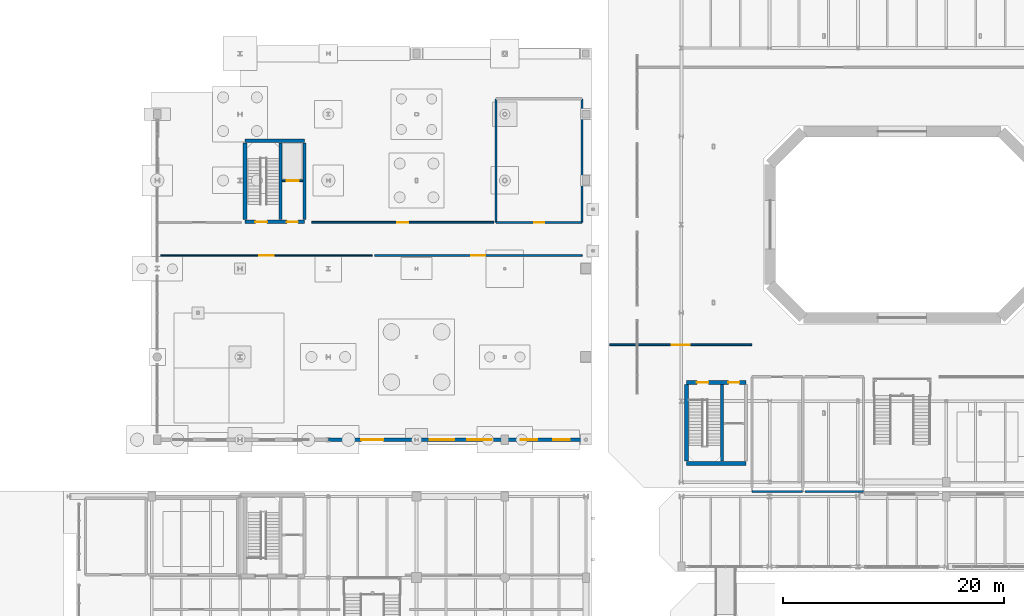
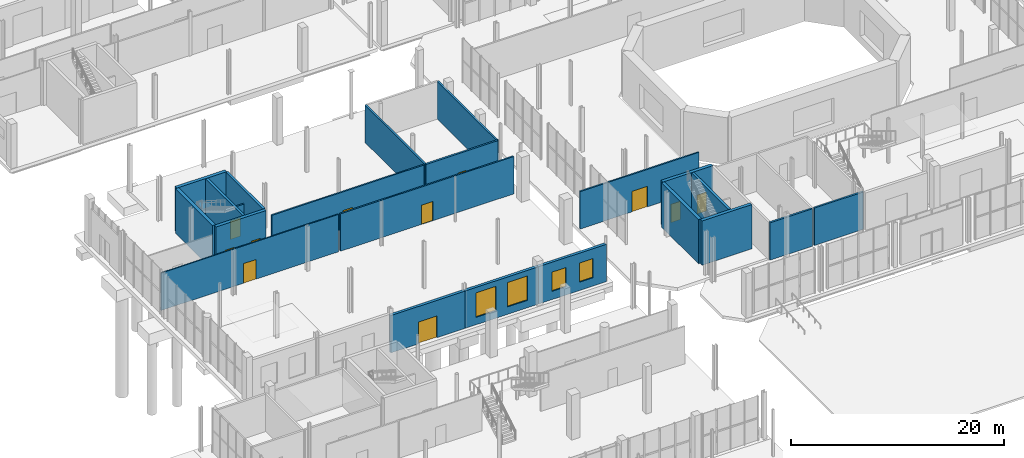
# One storey, part 66 of 87: 22 walls, 11 doors, 4 windows, 15 openings.
"""IFC4 building model written with IfcOpenShell, lengths in metres."""

from ifc_helpers import new_model, si_unit, direction, frame, frame_2d, origin, place, context, subcontext, project, spatial, rectangle, extrude, material, layer, layer_set, type_object, element, fill, save


model = new_model("IFC4")

# Units and contexts
model_context = context("Model", 3, precision=1e-05, world=origin(), true_north=direction((0.0, 1.0)))
body_context = subcontext(model_context, "Body", "Model", "MODEL_VIEW")
ifc_project = project(units=[si_unit("LENGTHUNIT", "METRE"), si_unit("AREAUNIT", "SQUARE_METRE"), si_unit("VOLUMEUNIT", "CUBIC_METRE"), si_unit("PLANEANGLEUNIT", "RADIAN"), si_unit("MASSUNIT", "GRAM", prefix="KILO")], contexts=[model_context])

# Site, building, storey
site_placement = place(None, origin())
site = spatial("IfcSite", under=ifc_project, at=site_placement, CompositionType="ELEMENT")
building_placement = place(site_placement, origin())
building = spatial("IfcBuilding", under=site, at=building_placement, Name="Brisemont Oceanarium", CompositionType="ELEMENT")
storey_placement = place(building_placement, origin())
storey = spatial("IfcBuildingStorey", under=building, at=storey_placement, Name="L00", CompositionType="ELEMENT", Elevation=0.0)

# Wall, opening, door
ifc_material_1 = material(Name="Sierra Granite Ashlar Backup Concrete C35/45", Category="masonry")
ifc_layer_1 = layer(ifc_material_1, 0.300048828125)
ifc_layer_set_1 = layer_set([ifc_layer_1], Name="Sierra Granite Ashlar Backup Concrete C35/45")
wall_type_1 = type_object("IfcWallType", Name="EW-GRANITE-300", PredefinedType="STANDARD", material=ifc_layer_set_1)
wall_1_placement = place(storey_placement, frame((32.0, 36.5, 0.0), z_axis=(0.0, 0.0, 1.0), x_axis=(1.0, 0.0, 0.0)))
wall_1 = element("IfcWall", 1, at=wall_1_placement, inside=storey, type_object=wall_type_1, Name="Beaux-Arts exterior wall EW-V5WS-L00-3", PredefinedType="STANDARD", context=body_context, shape_type="SweptSolid", body=[
    extrude(rectangle(XDim=8.0, YDim=0.300048828125, at=frame_2d((4.0, 0.0))), origin(), (0.0, 0.0, 1.0), 4.280029296875),
])
opening_1_placement = place(wall_1_placement, frame((3.0, 0.0, 0.0)))
opening_1 = element("IfcOpeningElement", 2, at=opening_1_placement, cuts=wall_1, Name="Opening EX-02", PredefinedType="OPENING", context=body_context, shape_type="SweptSolid", body=[
    extrude(rectangle(XDim=2.0, YDim=2.5, at=frame_2d((1.0, 1.25))), frame((0.0, 0.159912109375, 0.0), z_axis=(0.0, -1.0, 0.0), x_axis=(1.0, 0.0, 0.0)), (0.0, 0.0, 1.0), 0.320068359375),
])
ifc_material_2 = material(Name="Patinated Architectural Bronze C38500")
door_type_1 = type_object("IfcDoorType", Name="DR-EXT-2000X2500", OperationType="NOTDEFINED", PredefinedType="DOOR", material=ifc_material_2)
door_1_placement = place(opening_1_placement, origin())
door_1 = element("IfcDoor", 3, at=door_1_placement, inside=storey, type_object=door_type_1, Name="EX-02 exterior entrance door 3", OperationType="DOUBLE_DOOR_SINGLE_SWING", OverallHeight=2.5, OverallWidth=2.0, PredefinedType="DOOR", context=body_context, shape_type="SweptSolid", body=[
    extrude(rectangle(XDim=2.0, YDim=2.5, at=frame_2d((1.0, 1.25))), frame((0.0, 0.02490234375, 0.0), z_axis=(0.0, -1.0, 0.0), x_axis=(1.0, 0.0, 0.0)), (0.0, 0.0, 1.0), 0.050048828125),
])
fill(opening_1, door_1)

# Wall, openings, windows
wall_2_placement = place(storey_placement, frame((40.0, 36.5, 0.0), z_axis=(0.0, 0.0, 1.0), x_axis=(1.0, 0.0, 0.0)))
wall_2 = element("IfcWall", 4, at=wall_2_placement, inside=storey, type_object=wall_type_1, Name="Beaux-Arts exterior wall EW-V5WS-L00-4", PredefinedType="STANDARD", context=body_context, shape_type="SweptSolid", body=[
    extrude(rectangle(XDim=8.0, YDim=0.300048828125, at=frame_2d((4.0, 0.0))), origin(), (0.0, 0.0, 1.0), 4.280029296875),
])
opening_2_placement = place(wall_2_placement, frame((1.199951171875, 0.0, 0.85009765625)))
opening_2 = element("IfcOpeningElement", 5, at=opening_2_placement, cuts=wall_2, Name="Opening WIN-02", PredefinedType="OPENING", context=body_context, shape_type="SweptSolid", body=[
    extrude(rectangle(XDim=2.199951171875, YDim=2.800048828125, at=frame_2d((1.10009765625, 1.39990234375))), frame((0.0, 0.159912109375, 0.0), z_axis=(0.0, -1.0, 0.0), x_axis=(1.0, 0.0, 0.0)), (0.0, 0.0, 1.0), 0.320068359375),
])
opening_3_placement = place(wall_2_placement, frame((4.60009765625, 0.0, 0.85009765625)))
opening_3 = element("IfcOpeningElement", 6, at=opening_3_placement, cuts=wall_2, Name="Opening WIN-02", PredefinedType="OPENING", context=body_context, shape_type="SweptSolid", body=[
    extrude(rectangle(XDim=2.199951171875, YDim=2.800048828125, at=frame_2d((1.10009765625, 1.39990234375))), frame((0.0, 0.159912109375, 0.0), z_axis=(0.0, -1.0, 0.0), x_axis=(1.0, 0.0, 0.0)), (0.0, 0.0, 1.0), 0.320068359375),
])
ifc_material_3 = material(Name="Insulated Low-E Laminated Glass", Category="glass")
window_type_1 = type_object("IfcWindowType", Name="WIN-BA-2200X2800", PartitioningType="SINGLE_PANEL", PredefinedType="WINDOW", material=ifc_material_3)
window_1_placement = place(opening_2_placement, origin())
window_1 = element("IfcWindow", 7, at=window_1_placement, inside=storey, type_object=window_type_1, Name="WIN-02 facade window 29", OverallHeight=2.800048828125, OverallWidth=2.199951171875, PartitioningType="SINGLE_PANEL", PredefinedType="WINDOW", context=body_context, shape_type="SweptSolid", body=[
    extrude(rectangle(XDim=2.199951171875, YDim=2.800048828125, at=frame_2d((1.10009765625, 1.39990234375))), frame((0.0, 0.030029296875, 0.0), z_axis=(0.0, -1.0, 0.0), x_axis=(1.0, 0.0, 0.0)), (0.0, 0.0, 1.0), 0.06005859375),
])
fill(opening_2, window_1)
window_2_placement = place(opening_3_placement, origin())
window_2 = element("IfcWindow", 8, at=window_2_placement, inside=storey, type_object=window_type_1, Name="WIN-02 facade window 30", OverallHeight=2.800048828125, OverallWidth=2.199951171875, PartitioningType="SINGLE_PANEL", PredefinedType="WINDOW", context=body_context, shape_type="SweptSolid", body=[
    extrude(rectangle(XDim=2.199951171875, YDim=2.800048828125, at=frame_2d((1.10009765625, 1.39990234375))), frame((0.0, 0.030029296875, 0.0), z_axis=(0.0, -1.0, 0.0), x_axis=(1.0, 0.0, 0.0)), (0.0, 0.0, 1.0), 0.06005859375),
])
fill(opening_3, window_2)

wall_3_placement = place(storey_placement, frame((48.0, 36.5, 0.0), z_axis=(0.0, 0.0, 1.0), x_axis=(1.0, 0.0, 0.0)))
wall_3 = element("IfcWall", 9, at=wall_3_placement, inside=storey, type_object=wall_type_1, Name="Beaux-Arts exterior wall EW-V5WS-L00-5", PredefinedType="STANDARD", context=body_context, shape_type="SweptSolid", body=[
    extrude(rectangle(XDim=7.35009765625, YDim=0.300048828125, at=frame_2d((3.675048828125, 0.0))), origin(), (0.0, 0.0, 1.0), 4.280029296875),
])
opening_4_placement = place(wall_3_placement, frame((1.449951171875, 0.0, 0.949951171875)))
opening_4 = element("IfcOpeningElement", 10, at=opening_4_placement, cuts=wall_3, Name="Opening WIN-06", PredefinedType="OPENING", context=body_context, shape_type="SweptSolid", body=[
    extrude(rectangle(XDim=1.5, YDim=2.199951171875, at=frame_2d((0.75, 1.10009765625))), frame((0.0, 0.159912109375, 0.0), z_axis=(0.0, -1.0, 0.0), x_axis=(1.0, 0.0, 0.0)), (0.0, 0.0, 1.0), 0.320068359375),
])
opening_5_placement = place(wall_3_placement, frame((4.39990234375, 0.0, 0.949951171875)))
opening_5 = element("IfcOpeningElement", 11, at=opening_5_placement, cuts=wall_3, Name="Opening WIN-06", PredefinedType="OPENING", context=body_context, shape_type="SweptSolid", body=[
    extrude(rectangle(XDim=1.5, YDim=2.199951171875, at=frame_2d((0.75, 1.10009765625))), frame((0.0, 0.159912109375, 0.0), z_axis=(0.0, -1.0, 0.0), x_axis=(1.0, 0.0, 0.0)), (0.0, 0.0, 1.0), 0.320068359375),
])
ifc_material_4 = material(Name="Insulated Low-E Laminated Glass", Category="glass")
window_type_2 = type_object("IfcWindowType", Name="WIN-BA-1500X2200", PartitioningType="SINGLE_PANEL", PredefinedType="WINDOW", material=ifc_material_4)
window_3_placement = place(opening_4_placement, origin())
window_3 = element("IfcWindow", 12, at=window_3_placement, inside=storey, type_object=window_type_2, Name="WIN-06 facade window 33", OverallHeight=2.199951171875, OverallWidth=1.5, PartitioningType="SINGLE_PANEL", PredefinedType="WINDOW", context=body_context, shape_type="SweptSolid", body=[
    extrude(rectangle(XDim=1.5, YDim=2.199951171875, at=frame_2d((0.75, 1.10009765625))), frame((0.0, 0.030029296875, 0.0), z_axis=(0.0, -1.0, 0.0), x_axis=(1.0, 0.0, 0.0)), (0.0, 0.0, 1.0), 0.06005859375),
])
fill(opening_4, window_3)
window_4_placement = place(opening_5_placement, origin())
window_4 = element("IfcWindow", 13, at=window_4_placement, inside=storey, type_object=window_type_2, Name="WIN-06 facade window 34", OverallHeight=2.199951171875, OverallWidth=1.5, PartitioningType="SINGLE_PANEL", PredefinedType="WINDOW", context=body_context, shape_type="SweptSolid", body=[
    extrude(rectangle(XDim=1.5, YDim=2.199951171875, at=frame_2d((0.75, 1.10009765625))), frame((0.0, 0.030029296875, 0.0), z_axis=(0.0, -1.0, 0.0), x_axis=(1.0, 0.0, 0.0)), (0.0, 0.0, 1.0), 0.06005859375),
])
fill(opening_5, window_4)

# Wall, opening, door
ifc_material_5 = material(Name="Moisture-Resistant Gypsum Steel-Stud Partition", Category="steel")
ifc_layer_2 = layer(ifc_material_5, 0.159912109375)
ifc_layer_set_2 = layer_set([ifc_layer_2], Name="Moisture-Resistant Gypsum Steel-Stud Partition")
wall_type_2 = type_object("IfcWallType", Name="IW-FB-160", PredefinedType="PARTITIONING", material=ifc_layer_set_2)
wall_4_placement = place(storey_placement, frame((27.85009765625, 59.969970703125, 0.0), z_axis=(0.0, 0.0, 1.0), x_axis=(1.0, 0.0, 0.0)))
wall_4 = element("IfcWall", 14, at=wall_4_placement, inside=storey, type_object=wall_type_2, Name="Core C5 L00 lift hoistway front wall", PredefinedType="PARTITIONING", context=body_context, shape_type="SweptSolid", body=[
    extrude(rectangle(XDim=1.83984375, YDim=0.159912109375, at=frame_2d((0.919921875, 0.0))), origin(), (0.0, 0.0, 1.0), 3.60009765625),
])
opening_6_placement = place(wall_4_placement, frame((0.3701171875, 0.0, 0.0)))
opening_6 = element("IfcOpeningElement", 15, at=opening_6_placement, cuts=wall_4, Name="Opening LD-01", PredefinedType="OPENING", context=body_context, shape_type="SweptSolid", body=[
    extrude(rectangle(XDim=1.10009765625, YDim=2.14990234375, at=frame_2d((0.550048828125, 1.074951171875))), frame((0.0, 0.08984375, 0.0), z_axis=(0.0, -1.0, 0.0), x_axis=(1.0, 0.0, 0.0)), (0.0, 0.0, 1.0), 0.179931640625),
])
ifc_material_6 = material(Name="Duplex Stainless Steel EN 1.4462", Category="steel")
door_type_2 = type_object("IfcDoorType", Name="DR-LIFT-1100X2150", OperationType="NOTDEFINED", PredefinedType="DOOR", material=ifc_material_6)
door_2_placement = place(opening_6_placement, origin())
door_2 = element("IfcDoor", 16, at=door_2_placement, inside=storey, type_object=door_type_2, Name="Lift landing door LF-05 L00", OperationType="SLIDING_TO_LEFT", OverallHeight=2.14990234375, OverallWidth=1.10009765625, PredefinedType="DOOR", context=body_context, shape_type="SweptSolid", body=[
    extrude(rectangle(XDim=1.10009765625, YDim=2.14990234375, at=frame_2d((0.550048828125, 1.074951171875))), frame((0.0, 0.02490234375, 0.0), z_axis=(0.0, -1.0, 0.0), x_axis=(1.0, 0.0, 0.0)), (0.0, 0.0, 1.0), 0.050048828125),
])
fill(opening_6, door_2)

wall_5_placement = place(storey_placement, frame((57.5, 45.10009765625, 0.0), z_axis=(0.0, 0.0, 1.0), x_axis=(1.0, 0.0, 0.0)))
wall_5 = element("IfcWall", 17, at=wall_5_placement, inside=storey, type_object=wall_type_2, Name="Ocean Tank West Viewing Exhibit Gallery corridor partition", PredefinedType="PARTITIONING", context=body_context, shape_type="SweptSolid", body=[
    extrude(rectangle(XDim=12.89990234375, YDim=0.159912109375, at=frame_2d((6.449951171875, 0.0))), origin(), (0.0, 0.0, 1.0), 4.2900390625),
])
opening_7_placement = place(wall_5_placement, frame((5.625, 0.0, 0.0)))
opening_7 = element("IfcOpeningElement", 18, at=opening_7_placement, cuts=wall_5, Name="Opening GD-02", PredefinedType="OPENING", context=body_context, shape_type="SweptSolid", body=[
    extrude(rectangle(XDim=1.64990234375, YDim=2.35009765625, at=frame_2d((0.824951171875, 1.175048828125))), frame((0.0, 0.08984375, 0.0), z_axis=(0.0, -1.0, 0.0), x_axis=(1.0, 0.0, 0.0)), (0.0, 0.0, 1.0), 0.179931640625),
])
ifc_material_7 = material(Name="Patinated Architectural Bronze C38500")
door_type_3 = type_object("IfcDoorType", Name="DR-GAL-1650X2350", OperationType="NOTDEFINED", PredefinedType="DOOR", material=ifc_material_7)
door_3_placement = place(opening_7_placement, origin())
door_3 = element("IfcDoor", 19, at=door_3_placement, inside=storey, type_object=door_type_3, Name="GD-02 door to Ocean Tank West Viewing Exhibit Gallery", OperationType="SINGLE_SWING_RIGHT", OverallHeight=2.35009765625, OverallWidth=1.64990234375, PredefinedType="DOOR", context=body_context, shape_type="SweptSolid", body=[
    extrude(rectangle(XDim=1.64990234375, YDim=2.35009765625, at=frame_2d((0.824951171875, 1.175048828125))), frame((0.0, 0.02490234375, 0.0), z_axis=(0.0, -1.0, 0.0), x_axis=(1.0, 0.0, 0.0)), (0.0, 0.0, 1.0), 0.050048828125),
])
fill(opening_7, door_3)

wall_6_placement = place(storey_placement, frame((36.199951171875, 53.199951171875, 0.0), z_axis=(0.0, 0.0, 1.0), x_axis=(1.0, 0.0, 0.0)))
wall_6 = element("IfcWall", 20, at=wall_6_placement, inside=storey, type_object=wall_type_2, Name="Pacific Rocky Shore Exhibit Gallery corridor partition", PredefinedType="PARTITIONING", context=body_context, shape_type="SweptSolid", body=[
    extrude(rectangle(XDim=18.800048828125, YDim=0.159912109375, at=frame_2d((9.39990234375, 0.0))), origin(), (0.0, 0.0, 1.0), 4.2900390625),
])
opening_8_placement = place(wall_6_placement, frame((8.77490234375, 0.0, 0.0)))
opening_8 = element("IfcOpeningElement", 21, at=opening_8_placement, cuts=wall_6, Name="Opening LB-02", PredefinedType="OPENING", context=body_context, shape_type="SweptSolid", body=[
    extrude(rectangle(XDim=1.25, YDim=2.199951171875, at=frame_2d((0.625, 1.10009765625))), frame((0.0, 0.08984375, 0.0), z_axis=(0.0, -1.0, 0.0), x_axis=(1.0, 0.0, 0.0)), (0.0, 0.0, 1.0), 0.179931640625),
])
ifc_material_8 = material(Name="Duplex Stainless Steel EN 1.4462", Category="steel")
door_type_4 = type_object("IfcDoorType", Name="DR-LAB-1250X2200", OperationType="NOTDEFINED", PredefinedType="DOOR", material=ifc_material_8)
door_4_placement = place(opening_8_placement, origin())
door_4 = element("IfcDoor", 22, at=door_4_placement, inside=storey, type_object=door_type_4, Name="LB-02 door to Pacific Rocky Shore Exhibit Gallery", OperationType="SINGLE_SWING_RIGHT", OverallHeight=2.199951171875, OverallWidth=1.25, PredefinedType="DOOR", context=body_context, shape_type="SweptSolid", body=[
    extrude(rectangle(XDim=1.25, YDim=2.199951171875, at=frame_2d((0.625, 1.10009765625))), frame((0.0, 0.02490234375, 0.0), z_axis=(0.0, -1.0, 0.0), x_axis=(1.0, 0.0, 0.0)), (0.0, 0.0, 1.0), 0.050048828125),
])
fill(opening_8, door_4)

wall_7_placement = place(storey_placement, frame((30.5, 56.199951171875, 0.0), z_axis=(0.0, 0.0, 1.0), x_axis=(1.0, 0.0, 0.0)))
wall_7 = element("IfcWall", 23, at=wall_7_placement, inside=storey, type_object=wall_type_2, Name="Monterey Canyon Exhibit Gallery corridor partition", PredefinedType="PARTITIONING", context=body_context, shape_type="SweptSolid", body=[
    extrude(rectangle(XDim=16.5, YDim=0.159912109375, at=frame_2d((8.25, 0.0))), origin(), (0.0, 0.0, 1.0), 4.2900390625),
])
opening_9_placement = place(wall_7_placement, frame((7.739990234375, 0.0, 0.0)))
opening_9 = element("IfcOpeningElement", 24, at=opening_9_placement, cuts=wall_7, Name="Opening D-01", PredefinedType="OPENING", context=body_context, shape_type="SweptSolid", body=[
    extrude(rectangle(XDim=1.02001953125, YDim=2.14990234375, at=frame_2d((0.510009765625, 1.074951171875))), frame((0.0, 0.08984375, 0.0), z_axis=(0.0, -1.0, 0.0), x_axis=(1.0, 0.0, 0.0)), (0.0, 0.0, 1.0), 0.179931640625),
])
ifc_material_9 = material(Name="FSC White Oak Solid-Core Fire Door")
door_type_5 = type_object("IfcDoorType", Name="DR-RM-1020X2150", OperationType="NOTDEFINED", PredefinedType="DOOR", material=ifc_material_9)
door_5_placement = place(opening_9_placement, origin())
door_5 = element("IfcDoor", 25, at=door_5_placement, inside=storey, type_object=door_type_5, Name="D-01 door to Monterey Canyon Exhibit Gallery", OperationType="SINGLE_SWING_RIGHT", OverallHeight=2.14990234375, OverallWidth=1.02001953125, PredefinedType="DOOR", context=body_context, shape_type="SweptSolid", body=[
    extrude(rectangle(XDim=1.02001953125, YDim=2.14990234375, at=frame_2d((0.510009765625, 1.074951171875))), frame((0.0, 0.02490234375, 0.0), z_axis=(0.0, -1.0, 0.0), x_axis=(1.0, 0.0, 0.0)), (0.0, 0.0, 1.0), 0.050048828125),
])
fill(opening_9, door_5)

ifc_material_10 = material(Name="Moisture-Resistant Gypsum Steel-Stud Partition", Category="steel")
ifc_layer_3 = layer(ifc_material_10, 0.1201171875)
ifc_layer_set_3 = layer_set([ifc_layer_3], Name="Moisture-Resistant Gypsum Steel-Stud Partition")
wall_type_3 = type_object("IfcWallType", Name="IW-PART-120", PredefinedType="PARTITIONING", material=ifc_layer_set_3)
wall_8_placement = place(storey_placement, frame((16.800048828125, 53.199951171875, 0.0), z_axis=(0.0, 0.0, 1.0), x_axis=(1.0, 0.0, 0.0)))
wall_8 = element("IfcWall", 26, at=wall_8_placement, inside=storey, type_object=wall_type_3, Name="Kelp Forest Exhibit Gallery corridor partition", PredefinedType="PARTITIONING", context=body_context, shape_type="SweptSolid", body=[
    extrude(rectangle(XDim=19.199951171875, YDim=0.1201171875, at=frame_2d((9.60009765625, 0.0))), origin(), (0.0, 0.0, 1.0), 4.2900390625),
])
opening_10_placement = place(wall_8_placement, frame((8.925048828125, 0.0, 0.0)))
opening_10 = element("IfcOpeningElement", 27, at=opening_10_placement, cuts=wall_8, Name="Opening LB-01", PredefinedType="OPENING", context=body_context, shape_type="SweptSolid", body=[
    extrude(rectangle(XDim=1.35009765625, YDim=2.25, at=frame_2d((0.675048828125, 1.125))), frame((0.0, 0.070068359375, 0.0), z_axis=(0.0, -1.0, 0.0), x_axis=(1.0, 0.0, 0.0)), (0.0, 0.0, 1.0), 0.14013671875),
])
ifc_material_11 = material(Name="Duplex Stainless Steel EN 1.4462", Category="steel")
door_type_6 = type_object("IfcDoorType", Name="DR-LAB-1350X2250", OperationType="NOTDEFINED", PredefinedType="DOOR", material=ifc_material_11)
door_6_placement = place(opening_10_placement, origin())
door_6 = element("IfcDoor", 28, at=door_6_placement, inside=storey, type_object=door_type_6, Name="LB-01 door to Kelp Forest Exhibit Gallery", OperationType="SINGLE_SWING_LEFT", OverallHeight=2.25, OverallWidth=1.35009765625, PredefinedType="DOOR", context=body_context, shape_type="SweptSolid", body=[
    extrude(rectangle(XDim=1.35009765625, YDim=2.25, at=frame_2d((0.675048828125, 1.125))), frame((0.0, 0.02490234375, 0.0), z_axis=(0.0, -1.0, 0.0), x_axis=(1.0, 0.0, 0.0)), (0.0, 0.0, 1.0), 0.050048828125),
])
fill(opening_10, door_6)

# Walls
ifc_material_12 = material(Name="Cementitious Tile-Backer Plumbing Wall")
ifc_layer_4 = layer(ifc_material_12, 0.199951171875)
ifc_layer_set_4 = layer_set([ifc_layer_4], Name="Cementitious Tile-Backer Plumbing Wall")
wall_type_4 = type_object("IfcWallType", Name="IW-PLUMB-200", PredefinedType="PLUMBINGWALL", material=ifc_layer_set_4)
wall_9_placement = place(storey_placement, frame((70.39990234375, 31.800048828125, 0.0), z_axis=(0.0, 0.0, 1.0), x_axis=(1.0, 0.0, 0.0)))
element("IfcWall", 29, at=wall_9_placement, inside=storey, type_object=wall_type_4, Name="Accessible WC enclosure wall S", PredefinedType="PLUMBINGWALL", context=body_context, shape_type="SweptSolid", body=[
    extrude(rectangle(XDim=4.60009765625, YDim=0.199951171875, at=frame_2d((2.300048828125, 0.0))), origin(), (0.0, 0.0, 1.0), 4.2900390625),
])
wall_10_placement = place(storey_placement, frame((75.199951171875, 31.800048828125, 0.0), z_axis=(0.0, 0.0, 1.0), x_axis=(1.0, 0.0, 0.0)))
element("IfcWall", 30, at=wall_10_placement, inside=storey, type_object=wall_type_4, Name="Public Restroom enclosure wall S", PredefinedType="PLUMBINGWALL", context=body_context, shape_type="SweptSolid", body=[
    extrude(rectangle(XDim=5.300048828125, YDim=0.199951171875, at=frame_2d((2.64990234375, 0.0))), origin(), (0.0, 0.0, 1.0), 4.2900390625),
])

# Wall, opening, door
wall_11_placement = place(storey_placement, frame((47.199951171875, 56.199951171875, 0.0), z_axis=(0.0, 0.0, 1.0), x_axis=(1.0, 0.0, 0.0)))
wall_11 = element("IfcWall", 31, at=wall_11_placement, inside=storey, type_object=wall_type_4, Name="Public Restroom corridor partition", PredefinedType="PLUMBINGWALL", context=body_context, shape_type="SweptSolid", body=[
    extrude(rectangle(XDim=7.800048828125, YDim=0.199951171875, at=frame_2d((3.89990234375, 0.0))), origin(), (0.0, 0.0, 1.0), 4.2900390625),
])
opening_11_placement = place(wall_11_placement, frame((3.445068359375, 0.0, 0.0)))
opening_11 = element("IfcOpeningElement", 32, at=opening_11_placement, cuts=wall_11, Name="Opening D-03", PredefinedType="OPENING", context=body_context, shape_type="SweptSolid", body=[
    extrude(rectangle(XDim=0.909912109375, YDim=2.10009765625, at=frame_2d((0.455078125, 1.050048828125))), frame((0.0, 0.10986328125, 0.0), z_axis=(0.0, -1.0, 0.0), x_axis=(1.0, 0.0, 0.0)), (0.0, 0.0, 1.0), 0.219970703125),
])
ifc_material_13 = material(Name="FSC White Oak Solid-Core Fire Door")
door_type_7 = type_object("IfcDoorType", Name="DR-WC-910X2100", OperationType="NOTDEFINED", PredefinedType="DOOR", material=ifc_material_13)
door_7_placement = place(opening_11_placement, origin())
door_7 = element("IfcDoor", 33, at=door_7_placement, inside=storey, type_object=door_type_7, Name="D-03 door to Public Restroom", OperationType="SINGLE_SWING_LEFT", OverallHeight=2.10009765625, OverallWidth=0.909912109375, PredefinedType="DOOR", context=body_context, shape_type="SweptSolid", body=[
    extrude(rectangle(XDim=0.909912109375, YDim=2.10009765625, at=frame_2d((0.455078125, 1.050048828125))), frame((0.0, 0.02490234375, 0.0), z_axis=(0.0, -1.0, 0.0), x_axis=(1.0, 0.0, 0.0)), (0.0, 0.0, 1.0), 0.050048828125),
])
fill(opening_11, door_7)

# Walls
wall_12_placement = place(storey_placement, frame((47.199951171875, 56.199951171875, 0.0), z_axis=(0.0, 0.0, 1.0), x_axis=(0.0, 1.0, 0.0)))
element("IfcWall", 34, at=wall_12_placement, inside=storey, type_object=wall_type_4, Name="Public Restroom enclosure wall W", PredefinedType="PLUMBINGWALL", context=body_context, shape_type="SweptSolid", body=[
    extrude(rectangle(XDim=11.199951171875, YDim=0.199951171875, at=frame_2d((5.60009765625, 0.0))), origin(), (0.0, 0.0, 1.0), 4.2900390625),
])
wall_13_placement = place(storey_placement, frame((55.0, 56.199951171875, 0.0), z_axis=(0.0, 0.0, 1.0), x_axis=(0.0, 1.0, 0.0)))
element("IfcWall", 35, at=wall_13_placement, inside=storey, type_object=wall_type_4, Name="Public Restroom enclosure wall E", PredefinedType="PLUMBINGWALL", context=body_context, shape_type="SweptSolid", body=[
    extrude(rectangle(XDim=11.199951171875, YDim=0.199951171875, at=frame_2d((5.60009765625, 0.0))), origin(), (0.0, 0.0, 1.0), 4.280029296875),
])
ifc_material_14 = material(Name="Concrete C40/50", Category="concrete")
ifc_layer_5 = layer(ifc_material_14, 0.260009765625)
ifc_layer_set_5 = layer_set([ifc_layer_5], Name="Concrete C40/50")
wall_type_5 = type_object("IfcWallType", Name="SW-SHAFT-260", PredefinedType="SHEAR", material=ifc_layer_set_5)
wall_14_placement = place(storey_placement, frame((67.669921875, 34.550048828125, 0.0), z_axis=(0.0, 0.0, 1.0), x_axis=(0.0, 1.0, 0.0)))
element("IfcWall", 36, at=wall_14_placement, inside=storey, type_object=wall_type_5, Name="Core C1 L00 MID RC shear wall", PredefinedType="SHEAR", context=body_context, shape_type="SweptSolid", body=[
    extrude(rectangle(XDim=6.949951171875, YDim=0.260009765625, at=frame_2d((3.47509765625, 0.0))), origin(), (0.0, 0.0, 1.0), 5.070068359375),
])
for number, where, z_axis, x_axis, name in (
    (37, (29.85009765625, 56.449951171875, 0.0), (0.0, 0.0, 1.0), (0.0, 1.0, 0.0), "Core C5 L00 E RC shear wall"),
    (38, (27.669921875, 56.449951171875, 0.0), (0.0, 0.0, 1.0), (0.0, 1.0, 0.0), "Core C5 L00 MID RC shear wall"),
):
    element("IfcWall", number, at=place(storey_placement, frame(where, z_axis=z_axis, x_axis=x_axis)), inside=storey, type_object=wall_type_5, Name=name, PredefinedType="SHEAR", context=body_context, shape_type="SweptSolid", body=[
        extrude(rectangle(XDim=6.949951171875, YDim=0.260009765625, at=frame_2d((3.47509765625, 0.0))), origin(), (0.0, 0.0, 1.0), 5.110107421875),
    ])

# Wall, openings, doors
ifc_material_15 = material(Name="Concrete C40/50", Category="concrete")
ifc_layer_6 = layer(ifc_material_15, 0.35009765625)
ifc_layer_set_6 = layer_set([ifc_layer_6], Name="Concrete C40/50")
wall_type_6 = type_object("IfcWallType", Name="SW-STAIR-350", PredefinedType="SHEAR", material=ifc_layer_set_6)
wall_15_placement = place(storey_placement, frame((64.449951171875, 41.699951171875, 0.0), z_axis=(0.0, 0.0, 1.0), x_axis=(1.0, 0.0, 0.0)))
wall_15 = element("IfcWall", 39, at=wall_15_placement, inside=storey, type_object=wall_type_6, Name="Core C1 L00 corridor RC shear wall", PredefinedType="SHEAR", context=body_context, shape_type="SweptSolid", body=[
    extrude(rectangle(XDim=5.400146484375, YDim=0.35009765625, at=frame_2d((2.7001953125, 0.0))), origin(), (0.0, 0.0, 1.0), 5.070068359375),
])
opening_12_placement = place(wall_15_placement, frame((0.949951171875, 0.0, 0.0)))
opening_12 = element("IfcOpeningElement", 40, at=opening_12_placement, cuts=wall_15, Name="Opening SD-02", PredefinedType="OPENING", context=body_context, shape_type="SweptSolid", body=[
    extrude(rectangle(XDim=1.050048828125, YDim=2.10009765625, at=frame_2d((0.52490234375, 1.050048828125))), frame((0.0, 0.18505859375, 0.0), z_axis=(0.0, -1.0, 0.0), x_axis=(1.0, 0.0, 0.0)), (0.0, 0.0, 1.0), 0.3701171875),
])
opening_13_placement = place(wall_15_placement, frame((3.800048828125, 0.0, 0.0)))
opening_13 = element("IfcOpeningElement", 41, at=opening_13_placement, cuts=wall_15, Name="Opening FD90-2", PredefinedType="OPENING", context=body_context, shape_type="SweptSolid", body=[
    extrude(rectangle(XDim=1.0, YDim=2.14990234375, at=frame_2d((0.5, 1.074951171875))), frame((0.0, 0.18505859375, 0.0), z_axis=(0.0, -1.0, 0.0), x_axis=(1.0, 0.0, 0.0)), (0.0, 0.0, 1.0), 0.3701171875),
])
ifc_material_16 = material(Name="FSC White Oak Solid-Core Fire Door")
door_type_8 = type_object("IfcDoorType", Name="DR-LOB-1000X2150", OperationType="NOTDEFINED", PredefinedType="DOOR", material=ifc_material_16)
door_8_placement = place(opening_13_placement, origin())
door_8 = element("IfcDoor", 42, at=door_8_placement, inside=storey, type_object=door_type_8, Name="Lift lobby door C1 L00", OperationType="SINGLE_SWING_RIGHT", OverallHeight=2.14990234375, OverallWidth=1.0, PredefinedType="DOOR", context=body_context, shape_type="SweptSolid", body=[
    extrude(rectangle(XDim=1.0, YDim=2.14990234375, at=frame_2d((0.5, 1.074951171875))), frame((0.0, 0.02490234375, 0.0), z_axis=(0.0, -1.0, 0.0), x_axis=(1.0, 0.0, 0.0)), (0.0, 0.0, 1.0), 0.050048828125),
])
fill(opening_13, door_8)
ifc_material_17 = material(Name="Duplex Stainless Steel EN 1.4462", Category="steel")
door_type_9 = type_object("IfcDoorType", Name="DR-STAIR-1050X2100", OperationType="NOTDEFINED", PredefinedType="DOOR", material=ifc_material_17)
door_9_placement = place(opening_12_placement, origin())
door_9 = element("IfcDoor", 43, at=door_9_placement, inside=storey, type_object=door_type_9, Name="Exit stair door ST-01 L00", OperationType="SINGLE_SWING_LEFT", OverallHeight=2.10009765625, OverallWidth=1.050048828125, PredefinedType="DOOR", context=body_context, shape_type="SweptSolid", body=[
    extrude(rectangle(XDim=1.050048828125, YDim=2.10009765625, at=frame_2d((0.52490234375, 1.050048828125))), frame((0.0, 0.02490234375, 0.0), z_axis=(0.0, -1.0, 0.0), x_axis=(1.0, 0.0, 0.0)), (0.0, 0.0, 1.0), 0.050048828125),
])
fill(opening_12, door_9)

# Walls
wall_16_placement = place(storey_placement, frame((64.449951171875, 34.35009765625, 0.0), z_axis=(0.0, 0.0, 1.0), x_axis=(1.0, 0.0, 0.0)))
element("IfcWall", 44, at=wall_16_placement, inside=storey, type_object=wall_type_6, Name="Core C1 L00 BCK RC shear wall", PredefinedType="SHEAR", context=body_context, shape_type="SweptSolid", body=[
    extrude(rectangle(XDim=5.400146484375, YDim=0.35009765625, at=frame_2d((2.7001953125, 0.0))), origin(), (0.0, 0.0, 1.0), 5.070068359375),
])
wall_17_placement = place(storey_placement, frame((64.449951171875, 34.550048828125, 0.0), z_axis=(0.0, 0.0, 1.0), x_axis=(0.0, 1.0, 0.0)))
element("IfcWall", 45, at=wall_17_placement, inside=storey, type_object=wall_type_6, Name="Core C1 L00 W RC shear wall", PredefinedType="SHEAR", context=body_context, shape_type="SweptSolid", body=[
    extrude(rectangle(XDim=6.949951171875, YDim=0.35009765625, at=frame_2d((3.47509765625, 0.0))), origin(), (0.0, 0.0, 1.0), 5.070068359375),
])

# Wall, openings, doors
wall_18_placement = place(storey_placement, frame((24.449951171875, 56.25, 0.0), z_axis=(0.0, 0.0, 1.0), x_axis=(1.0, 0.0, 0.0)))
wall_18 = element("IfcWall", 46, at=wall_18_placement, inside=storey, type_object=wall_type_6, Name="Core C5 L00 corridor RC shear wall", PredefinedType="SHEAR", context=body_context, shape_type="SweptSolid", body=[
    extrude(rectangle(XDim=5.400146484375, YDim=0.35009765625, at=frame_2d((2.7001953125, 0.0))), origin(), (0.0, 0.0, 1.0), 5.110107421875),
])
opening_14_placement = place(wall_18_placement, frame((0.949951171875, 0.0, 0.0)))
opening_14 = element("IfcOpeningElement", 47, at=opening_14_placement, cuts=wall_18, Name="Opening SD-02", PredefinedType="OPENING", context=body_context, shape_type="SweptSolid", body=[
    extrude(rectangle(XDim=1.050048828125, YDim=2.10009765625, at=frame_2d((0.52490234375, 1.050048828125))), frame((0.0, 0.18505859375, 0.0), z_axis=(0.0, -1.0, 0.0), x_axis=(1.0, 0.0, 0.0)), (0.0, 0.0, 1.0), 0.3701171875),
])
opening_15_placement = place(wall_18_placement, frame((3.800048828125, 0.0, 0.0)))
opening_15 = element("IfcOpeningElement", 48, at=opening_15_placement, cuts=wall_18, Name="Opening FD90-2", PredefinedType="OPENING", context=body_context, shape_type="SweptSolid", body=[
    extrude(rectangle(XDim=1.0, YDim=2.14990234375, at=frame_2d((0.5, 1.074951171875))), frame((0.0, 0.18505859375, 0.0), z_axis=(0.0, -1.0, 0.0), x_axis=(1.0, 0.0, 0.0)), (0.0, 0.0, 1.0), 0.3701171875),
])
door_10_placement = place(opening_15_placement, origin())
door_10 = element("IfcDoor", 49, at=door_10_placement, inside=storey, type_object=door_type_8, Name="Lift lobby door C5 L00", OperationType="SINGLE_SWING_LEFT", OverallHeight=2.14990234375, OverallWidth=1.0, PredefinedType="DOOR", context=body_context, shape_type="SweptSolid", body=[
    extrude(rectangle(XDim=1.0, YDim=2.14990234375, at=frame_2d((0.5, 1.074951171875))), frame((0.0, 0.02490234375, 0.0), z_axis=(0.0, -1.0, 0.0), x_axis=(1.0, 0.0, 0.0)), (0.0, 0.0, 1.0), 0.050048828125),
])
fill(opening_15, door_10)
door_11_placement = place(opening_14_placement, origin())
door_11 = element("IfcDoor", 50, at=door_11_placement, inside=storey, type_object=door_type_9, Name="Exit stair door ST-05 L00", OperationType="SINGLE_SWING_RIGHT", OverallHeight=2.10009765625, OverallWidth=1.050048828125, PredefinedType="DOOR", context=body_context, shape_type="SweptSolid", body=[
    extrude(rectangle(XDim=1.050048828125, YDim=2.10009765625, at=frame_2d((0.52490234375, 1.050048828125))), frame((0.0, 0.02490234375, 0.0), z_axis=(0.0, -1.0, 0.0), x_axis=(1.0, 0.0, 0.0)), (0.0, 0.0, 1.0), 0.050048828125),
])
fill(opening_14, door_11)

# Walls
wall_19_placement = place(storey_placement, frame((24.449951171875, 63.60009765625, 0.0), z_axis=(0.0, 0.0, 1.0), x_axis=(1.0, 0.0, 0.0)))
element("IfcWall", 51, at=wall_19_placement, inside=storey, type_object=wall_type_6, Name="Core C5 L00 BCK RC shear wall", PredefinedType="SHEAR", context=body_context, shape_type="SweptSolid", body=[
    extrude(rectangle(XDim=5.400146484375, YDim=0.35009765625, at=frame_2d((2.7001953125, 0.0))), origin(), (0.0, 0.0, 1.0), 5.110107421875),
])
wall_20_placement = place(storey_placement, frame((24.449951171875, 56.449951171875, 0.0), z_axis=(0.0, 0.0, 1.0), x_axis=(0.0, 1.0, 0.0)))
element("IfcWall", 52, at=wall_20_placement, inside=storey, type_object=wall_type_6, Name="Core C5 L00 W RC shear wall", PredefinedType="SHEAR", context=body_context, shape_type="SweptSolid", body=[
    extrude(rectangle(XDim=6.949951171875, YDim=0.35009765625, at=frame_2d((3.47509765625, 0.0))), origin(), (0.0, 0.0, 1.0), 5.110107421875),
])

save(model, "model.ifc")
